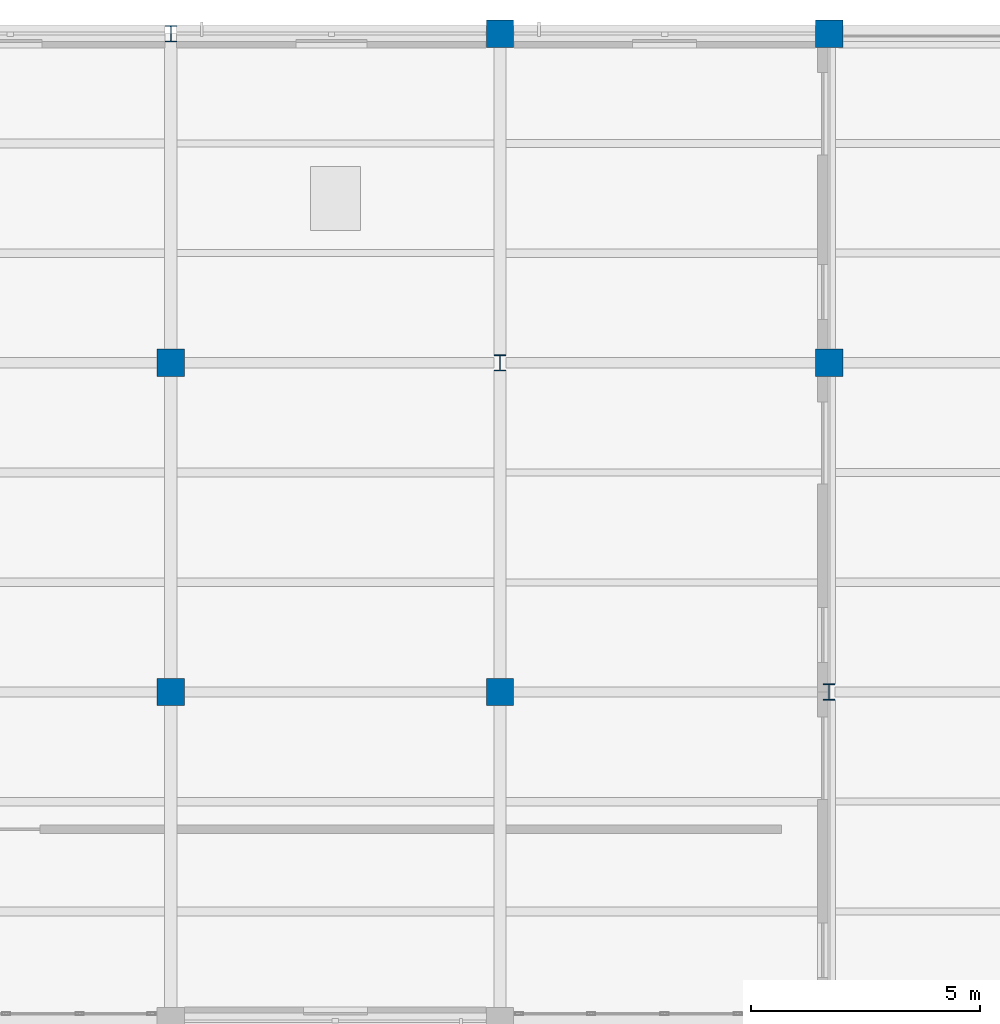
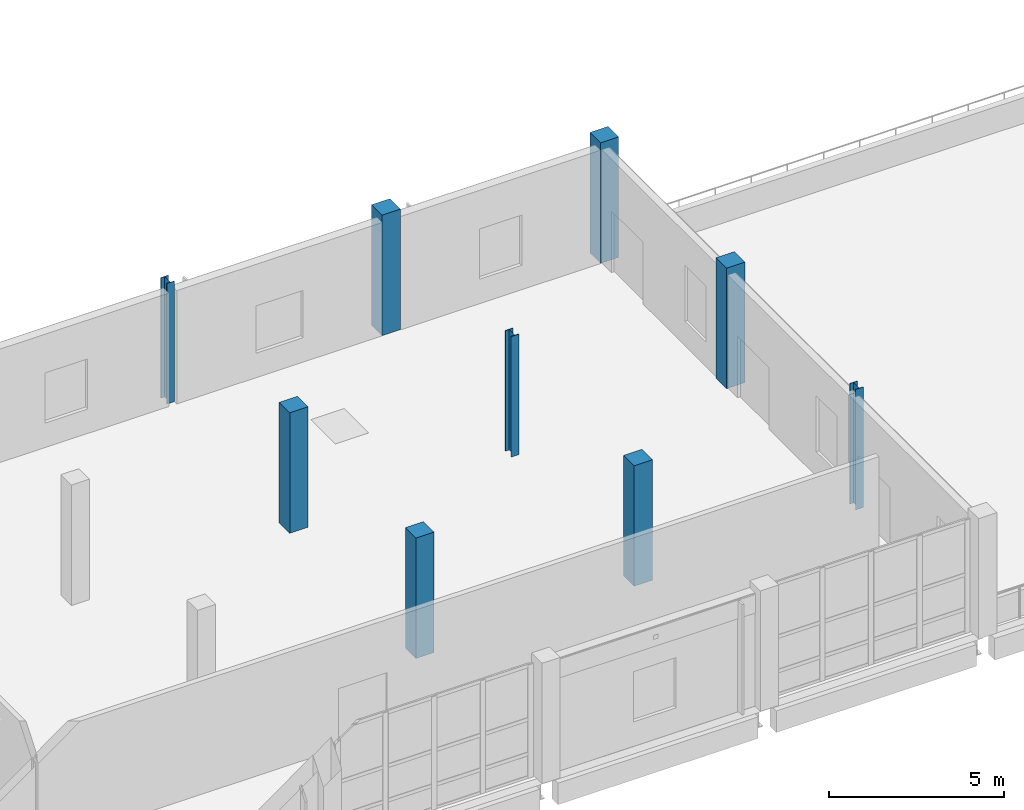
# One storey, part 15 of 94: 9 columns.
"""IFC4 building model written with IfcOpenShell, lengths in metres."""

from ifc_helpers import new_model, si_unit, direction, frame, origin, origin_2d, place, context, subcontext, project, spatial, rectangle, i_section, extrude, material, material_profile, profile_set, type_object, element, save


model = new_model("IFC4")

# Units and contexts
model_context = context("Model", 3, precision=1e-05, world=origin(), true_north=direction((0.0, 1.0)))
body_context = subcontext(model_context, "Body", "Model", "MODEL_VIEW")
ifc_project = project(units=[si_unit("LENGTHUNIT", "METRE"), si_unit("AREAUNIT", "SQUARE_METRE"), si_unit("VOLUMEUNIT", "CUBIC_METRE"), si_unit("PLANEANGLEUNIT", "RADIAN"), si_unit("MASSUNIT", "GRAM", prefix="KILO")], contexts=[model_context])

# Site, building, storey
site_placement = place(None, origin())
site = spatial("IfcSite", under=ifc_project, at=site_placement, CompositionType="ELEMENT")
building_placement = place(site_placement, origin())
building = spatial("IfcBuilding", under=site, at=building_placement, Name="Kalmorath City Hall", CompositionType="ELEMENT")
storey_placement = place(building_placement, frame((0.0, 0.0, 14.699951171875)))
storey = spatial("IfcBuildingStorey", under=building, at=storey_placement, Name="L03", CompositionType="ELEMENT", Elevation=14.699951171875)

# Columns
ifc_material_1 = material(Name="Concrete C50/60", Category="concrete")
ifc_material_profile_1 = material_profile(ifc_material_1, rectangle(XDim=0.60009765625, YDim=0.60009765625, at=origin_2d()), Name="RC-COL-600X600")
ifc_profile_set_1 = profile_set([ifc_material_profile_1], Name="Concrete C50/60")
column_type_1 = type_object("IfcColumnType", Name="Concrete column 600x600", PredefinedType="COLUMN", material=ifc_profile_set_1)
for number, where, z_axis, x_axis, name in (
    (1, (100.800048828125, 100.800048828125, 0.0), (0.0, 0.0, 1.0), (1.0, 0.0, 0.0), "L03 column C6 (15/15)"),
    (2, (100.800048828125, 108.0, 0.0), (0.0, 0.0, 1.0), (1.0, 0.0, 0.0), "L03 column C6 (15/16)"),
    (3, (108.0, 100.800048828125, 0.0), (0.0, 0.0, 1.0), (1.0, 0.0, 0.0), "L03 column C6 (16/15)"),
    (4, (108.0, 115.199951171875, 0.0), (0.0, 0.0, 1.0), (1.0, 0.0, 0.0), "L03 column C6 (16/17)"),
    (5, (115.199951171875, 108.0, 0.0), (0.0, 0.0, 1.0), (1.0, 0.0, 0.0), "L03 column C6 (17/16)"),
    (6, (115.199951171875, 115.199951171875, 0.0), (0.0, 0.0, 1.0), (1.0, 0.0, 0.0), "L03 column C6 (17/17)"),
):
    element("IfcColumn", number, at=place(storey_placement, frame(where, z_axis=z_axis, x_axis=x_axis)), inside=storey, type_object=column_type_1, Name=name, PredefinedType="COLUMN", context=body_context, shape_type="SweptSolid", body=[
        extrude(rectangle(XDim=0.60009765625, YDim=0.60009765625, at=origin_2d()), origin(), (0.0, 0.0, 1.0), 4.199951171875),
    ])
ifc_material_2 = material(Name="Steel ASTM A992 Grade 50", Category="steel")
ifc_material_profile_2 = material_profile(ifc_material_2, i_section(OverallWidth=0.25390625, OverallDepth=0.35302734375, WebThickness=0.009521484375, FlangeThickness=0.016357421875, FilletRadius=0.014892578125, at=origin_2d()), Name="W14X61")
ifc_profile_set_2 = profile_set([ifc_material_profile_2], Name="Steel ASTM A992 Grade 50")
column_type_2 = type_object("IfcColumnType", Name="Steel wide-flange column W14X61", PredefinedType="COLUMN", material=ifc_profile_set_2)
for number, where, z_axis, x_axis, name in (
    (7, (100.800048828125, 115.199951171875, 0.0), (0.0, 0.0, 1.0), (1.0, 0.0, 0.0), "L03 column SC1 (15/17)"),
    (8, (108.0, 108.0, 0.0), (0.0, 0.0, 1.0), (1.0, 0.0, 0.0), "L03 column SC1 (16/16)"),
    (9, (115.199951171875, 100.800048828125, 0.0), (0.0, 0.0, 1.0), (1.0, 0.0, 0.0), "L03 column SC1 (17/15)"),
):
    element("IfcColumn", number, at=place(storey_placement, frame(where, z_axis=z_axis, x_axis=x_axis)), inside=storey, type_object=column_type_2, Name=name, PredefinedType="COLUMN", context=body_context, shape_type="SweptSolid", body=[
        extrude(i_section(OverallWidth=0.25390625, OverallDepth=0.35302734375, WebThickness=0.009521484375, FlangeThickness=0.016357421875, FilletRadius=0.014892578125, at=origin_2d()), origin(), (0.0, 0.0, 1.0), 4.199951171875),
    ])

save(model, "model.ifc")
